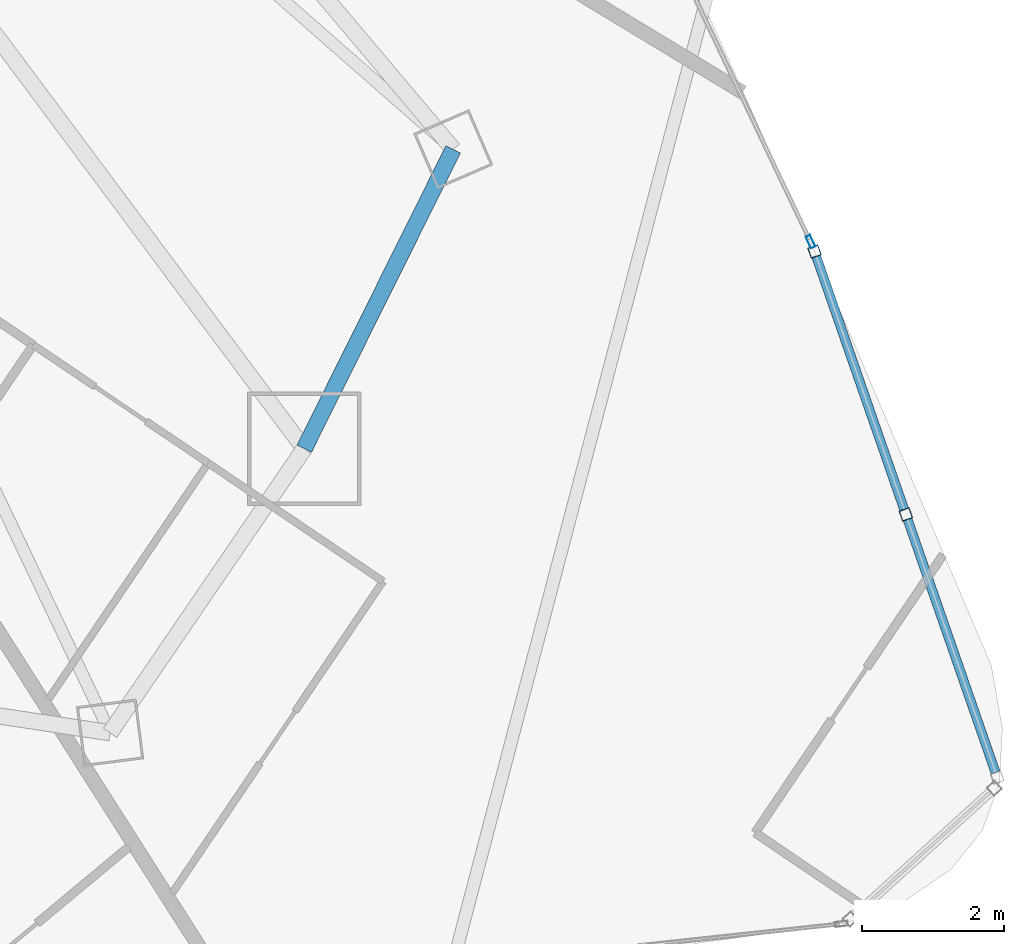
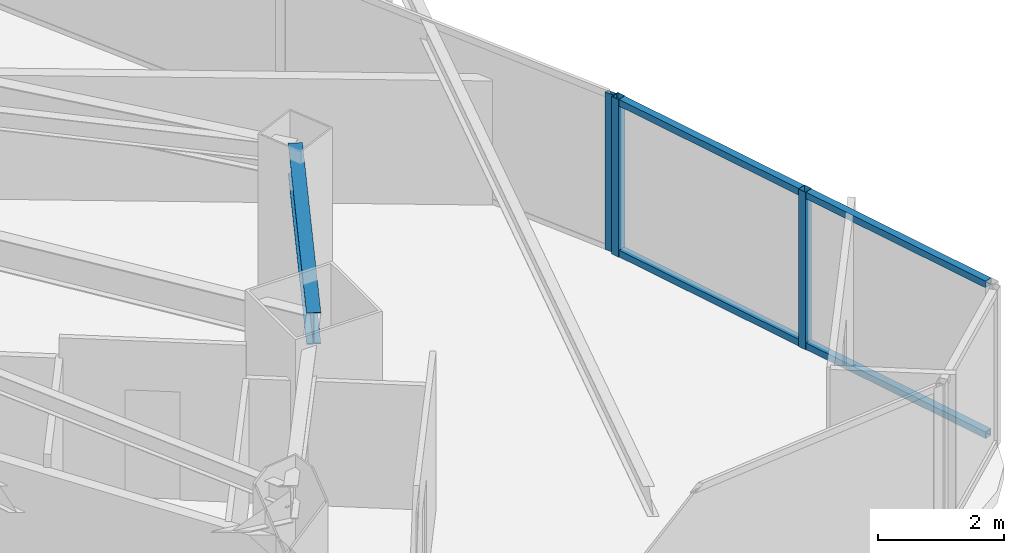
# One storey, part 18 of 38: 7 members, 1 beam, 2 elements without a shape of their own.
"""IFC4 building model written with IfcOpenShell, lengths in metres."""

from ifc_helpers import new_model, si_unit, direction, frame, origin, origin_2d, place, context, subcontext, project, spatial, hollow_rectangle, i_section, extrude, material, layer, layer_set, material_profile, profile_set, type_object, element, aggregate, save


model = new_model("IFC4")

# Units and contexts
model_context = context("Model", 3, precision=1e-05, world=origin(), true_north=direction((0.0, 1.0)))
body_context = subcontext(model_context, "Body", "Model", "MODEL_VIEW")
ifc_project = project(units=[si_unit("LENGTHUNIT", "METRE"), si_unit("AREAUNIT", "SQUARE_METRE"), si_unit("VOLUMEUNIT", "CUBIC_METRE"), si_unit("PLANEANGLEUNIT", "RADIAN"), si_unit("MASSUNIT", "GRAM", prefix="KILO")], contexts=[model_context])

# Site, building, storey
site_placement = place(None, origin())
site = spatial("IfcSite", under=ifc_project, at=site_placement, CompositionType="ELEMENT")
building_placement = place(site_placement, origin())
building = spatial("IfcBuilding", under=site, at=building_placement, Name="Orvanel Arch Residences", CompositionType="ELEMENT")
storey_placement = place(building_placement, frame((0.0, 0.0, 43.39990234375)))
storey = spatial("IfcBuildingStorey", under=building, at=storey_placement, Name="L11", CompositionType="ELEMENT", Elevation=43.39990234375)

# Curtain wall, members
ifc_material_1 = material(Name="Bronze-anodised aluminium AA6063-T6", Category="aluminium")
ifc_layer_1 = layer(ifc_material_1, 0.18994140625)
ifc_layer_set_1 = layer_set([ifc_layer_1], Name="Bronze-anodised aluminium AA6063-T6")
curtain_wall_type_1 = type_object("IfcCurtainWallType", Name="CW5-CRN-SYS", PredefinedType="NOTDEFINED", material=ifc_layer_set_1)
curtain_wall_1_placement = place(storey_placement, origin())
curtain_wall_1 = element("IfcCurtainWall", 1, at=curtain_wall_1_placement, inside=storey, type_object=curtain_wall_type_1, Name="L11 CW5-CRN-SYS Unitised Curtain Wall", PredefinedType="NOTDEFINED")
ifc_material_profile_1 = material_profile(ifc_material_1, hollow_rectangle(XDim=0.14990234375, YDim=0.14990234375, WallThickness=0.0048828125, at=origin_2d()), Name="ALU150x150x5")
ifc_profile_set_1 = profile_set([ifc_material_profile_1], Name="Bronze-anodised aluminium AA6063-T6")
member_type_1 = type_object("IfcMemberType", Name="MUL-150x150", PredefinedType="MULLION", material=ifc_profile_set_1)
member_1_placement = place(storey_placement, frame((60.298095703125, 9.422607421875, 0.0), z_axis=(0.0, 0.0, 1.0), x_axis=(-0.944601133748, -0.328220502288, 0.0)))
member_1 = element("IfcMember", 2, at=member_1_placement, type_object=member_type_1, Name="CW-S5 mullion 2", PredefinedType="MULLION", context=body_context, shape_type="SweptSolid", body=[
    extrude(hollow_rectangle(XDim=0.14990234375, YDim=0.14990234375, WallThickness=0.0048828125, at=origin_2d()), origin(), (0.0, 0.0, 1.0), 3.06005859375),
])
member_2_placement = place(storey_placement, frame((59.007568359375, 13.13623046875, 0.0), z_axis=(0.0, 0.0, 1.0), x_axis=(-0.944601133748, -0.328220502288, 0.0)))
member_2 = element("IfcMember", 3, at=member_2_placement, type_object=member_type_1, Name="CW-S5 mullion 3", PredefinedType="MULLION", context=body_context, shape_type="SweptSolid", body=[
    extrude(hollow_rectangle(XDim=0.14990234375, YDim=0.14990234375, WallThickness=0.0048828125, at=origin_2d()), origin(), (0.0, 0.0, 1.0), 3.06005859375),
])

# Curtain wall, member
ifc_layer_2 = layer(ifc_material_1, 0.179931640625)
ifc_layer_set_2 = layer_set([ifc_layer_2], Name="Bronze-anodised aluminium AA6063-T6")
curtain_wall_type_2 = type_object("IfcCurtainWallType", Name="CW2-LOW-SYS", PredefinedType="NOTDEFINED", material=ifc_layer_set_2)
curtain_wall_2_placement = place(storey_placement, origin())
curtain_wall_2 = element("IfcCurtainWall", 4, at=curtain_wall_2_placement, inside=storey, type_object=curtain_wall_type_2, Name="L11 CW2-LOW-SYS Unitised Curtain Wall", PredefinedType="NOTDEFINED")
ifc_material_profile_2 = material_profile(ifc_material_1, hollow_rectangle(XDim=0.070068359375, YDim=0.179931640625, WallThickness=0.00439453125, at=origin_2d()), Name="ALU180x70x4.5")
ifc_profile_set_2 = profile_set([ifc_material_profile_2], Name="Bronze-anodised aluminium AA6063-T6")
member_type_2 = type_object("IfcMemberType", Name="MUL-180x70", PredefinedType="MULLION", material=ifc_profile_set_2)
member_3_placement = place(storey_placement, frame((58.951904296875, 13.275634765625, 0.0), z_axis=(0.0, 0.0, 1.0), x_axis=(-0.903580469731, -0.42841841081, 0.0)))
member_3 = element("IfcMember", 5, at=member_3_placement, type_object=member_type_2, Name="CW-S2 mullion 1", PredefinedType="MULLION", context=body_context, shape_type="SweptSolid", body=[
    extrude(hollow_rectangle(XDim=0.070068359375, YDim=0.179931640625, WallThickness=0.00439453125, at=origin_2d()), origin(), (0.0, 0.0, 1.0), 3.06005859375),
])
aggregate(curtain_wall_2, [member_3])

# Beam
ifc_material_2 = material(Name="Structural steel AS/NZS 3679.1 Grade 300 (300 MPa)", Category="steel")
ifc_material_profile_3 = material_profile(ifc_material_2, i_section(OverallWidth=0.22900390625, OverallDepth=0.612060546875, WebThickness=0.011962890625, FlangeThickness=0.01953125, at=origin_2d()), Name="610UB125")
ifc_profile_set_3 = profile_set([ifc_material_profile_3], Name="Structural steel AS/NZS 3679.1 Grade 300 (300 MPa)")
beam_type = type_object("IfcBeamType", Name="SP-610UB", PredefinedType="SPANDREL", material=ifc_profile_set_3)
beam_placement = place(storey_placement, frame((51.801025390625, 10.35107421875, 2.754150390625), z_axis=(0.44543469453, 0.895314432425, 0.0), x_axis=(-0.895314432425, 0.44543469453, 0.0)))
element("IfcBeam", 6, at=beam_placement, inside=storey, type_object=beam_type, Name="L11 Perimeter Spandrel Beam 11", PredefinedType="SPANDREL", context=body_context, shape_type="SweptSolid", body=[
    extrude(i_section(OverallWidth=0.22900390625, OverallDepth=0.612060546875, WebThickness=0.011962890625, FlangeThickness=0.01953125, at=origin_2d()), origin(), (0.0, 0.0, 1.0), 4.723388671875),
])

# Member
ifc_material_profile_4 = material_profile(ifc_material_1, hollow_rectangle(XDim=0.1298828125, YDim=0.1298828125, WallThickness=0.00439453125, at=origin_2d()), Name="ALU130x130x4.5")
ifc_profile_set_4 = profile_set([ifc_material_profile_4], Name="Bronze-anodised aluminium AA6063-T6")
member_type_3 = type_object("IfcMemberType", Name="TRN-130x130", PredefinedType="USERDEFINED", material=ifc_profile_set_4)
member_4_placement = place(storey_placement, frame((61.563720703125, 5.77978515625, 0.065185546875), z_axis=(-0.328250155674, 0.944590829566, 0.0), x_axis=(-0.944590829566, -0.328250155674, 0.0)))
member_4 = element("IfcMember", 7, at=member_4_placement, type_object=member_type_3, Name="CW-S5 transom 1.1", ObjectType="TRANSOM", PredefinedType="USERDEFINED", context=body_context, shape_type="SweptSolid", body=[
    extrude(hollow_rectangle(XDim=0.1298828125, YDim=0.1298828125, WallThickness=0.00439453125, at=origin_2d()), origin(), (0.0, 0.0, 1.0), 3.78125),
])

member_5_placement = place(storey_placement, frame((61.563720703125, 5.77978515625, 2.9951171875), z_axis=(-0.328250155674, 0.944590829566, 0.0), x_axis=(-0.944590829566, -0.328250155674, 0.0)))
member_5 = element("IfcMember", 8, at=member_5_placement, type_object=member_type_3, Name="CW-S5 transom 1.2", ObjectType="TRANSOM", PredefinedType="USERDEFINED", context=body_context, shape_type="SweptSolid", body=[
    extrude(hollow_rectangle(XDim=0.1298828125, YDim=0.1298828125, WallThickness=0.00439453125, at=origin_2d()), origin(), (0.0, 0.0, 1.0), 3.78125),
])

member_6_placement = place(storey_placement, frame((60.2734375, 9.493408203125, 0.065185546875), z_axis=(-0.328230137559, 0.944597785726, 0.0), x_axis=(-0.944597785726, -0.328230137559, 0.0)))
member_6 = element("IfcMember", 9, at=member_6_placement, type_object=member_type_3, Name="CW-S5 transom 2.1", ObjectType="TRANSOM", PredefinedType="USERDEFINED", context=body_context, shape_type="SweptSolid", body=[
    extrude(hollow_rectangle(XDim=0.1298828125, YDim=0.1298828125, WallThickness=0.00439453125, at=origin_2d()), origin(), (0.0, 0.0, 1.0), 3.781494140625),
])

member_7_placement = place(storey_placement, frame((60.2734375, 9.493408203125, 2.9951171875), z_axis=(-0.328230137559, 0.944597785726, 0.0), x_axis=(-0.944597785726, -0.328230137559, 0.0)))
member_7 = element("IfcMember", 10, at=member_7_placement, type_object=member_type_3, Name="CW-S5 transom 2.2", ObjectType="TRANSOM", PredefinedType="USERDEFINED", context=body_context, shape_type="SweptSolid", body=[
    extrude(hollow_rectangle(XDim=0.1298828125, YDim=0.1298828125, WallThickness=0.00439453125, at=origin_2d()), origin(), (0.0, 0.0, 1.0), 3.781494140625),
])

aggregate(curtain_wall_1, [member_1, member_2, member_4, member_5, member_6, member_7])

save(model, "model.ifc")
